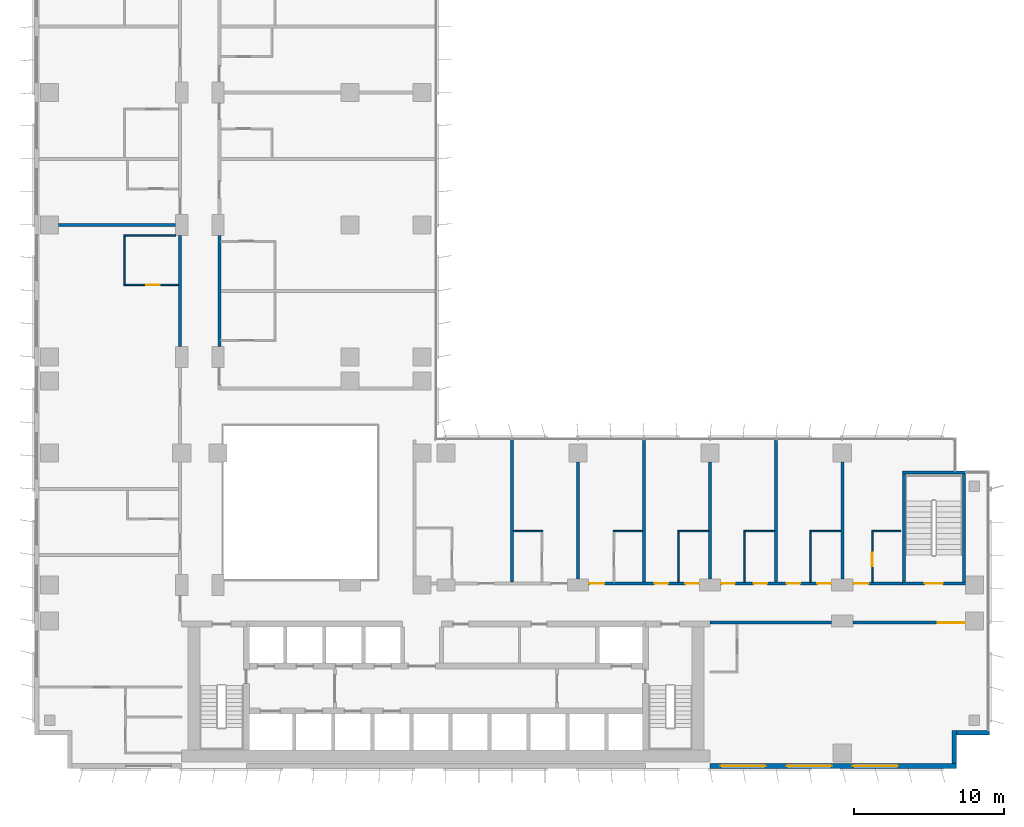
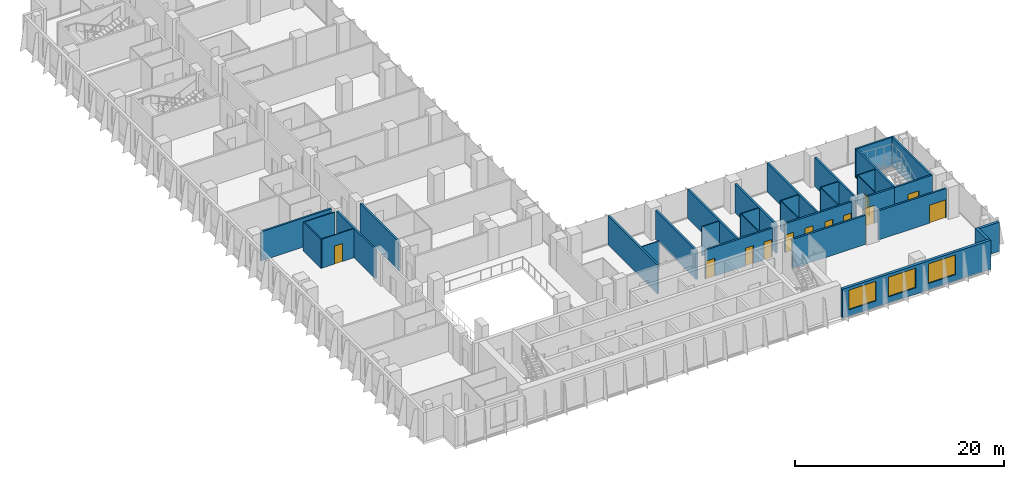
# One storey, part 14 of 22: 34 walls, 12 doors, 3 windows, 15 openings.
"""IFC4 building model written with IfcOpenShell, lengths in metres."""

import ifcopenshell
import ifcopenshell.guid

model = None  # the IFC model being written
_history = None  # IfcOwnerHistory: only IFC2X3 demands one
_inside = {}  # id of a spatial element -> (the spatial element, [elements in it])
_under = {}  # id of a project, library or spatial element -> (it, [spatial elements below it])
_declared = {}  # id of a project -> (the project, [libraries it declares])
_typed = {}  # id of a type object -> (the type object, [elements of that type])
_made_of = {}  # id of a material, layer set ... -> (it, [elements and type objects made of it])


def new_model(schema):
    """Start an empty IFC model of exactly this schema.

    Asked for "IFC4X3", IfcOpenShell would pick the latest addendum, in which some entities
    have other attributes; the version numbers below select the first issue.
    IFC2X3 requires an IfcOwnerHistory on every rooted entity: one is made here for all.
    """
    global model, _history
    if schema == "IFC4X3":
        model = ifcopenshell.file(schema_version=(4, 3, 0, 0))
    else:
        model = ifcopenshell.file(schema=schema)
    _inside.clear()
    _under.clear()
    _declared.clear()
    _typed.clear()
    _made_of.clear()
    _history = None
    if model.schema == "IFC2X3":
        org = make("IfcOrganization", Name="unknown")
        user = make(
            "IfcPersonAndOrganization",
            ThePerson=make("IfcPerson", FamilyName="unknown"),
            TheOrganization=org,
        )
        app = make(
            "IfcApplication",
            ApplicationDeveloper=org,
            Version="unknown",
            ApplicationFullName="unknown",
            ApplicationIdentifier="unknown",
        )
        _history = make(
            "IfcOwnerHistory",
            OwningUser=user,
            OwningApplication=app,
            ChangeAction="ADDED",
            CreationDate=0,
        )
    return model


def make(cls, **values):
    """One entity of the class cls with the attributes given. An attribute that is None is left unset."""
    return model.create_entity(
        cls, **{name: value for name, value in values.items() if value is not None}
    )


def rooted(cls, **values):
    """An entity with a GlobalId (a new one), such as an element, a storey or a relation."""
    return make(cls, GlobalId=ifcopenshell.guid.new(), OwnerHistory=_history, **values)


def si_unit(unit_type, name, prefix=None):
    """IfcSIUnit, for example si_unit("LENGTHUNIT", "METRE", prefix="MILLI")."""
    return make("IfcSIUnit", UnitType=unit_type, Prefix=prefix, Name=name)


def assignment(units):
    """IfcUnitAssignment: the units of a project."""
    return None if units is None else make("IfcUnitAssignment", Units=units)


def point(xyz):
    """IfcCartesianPoint."""
    return None if xyz is None else make("IfcCartesianPoint", Coordinates=xyz)


def direction(xyz):
    """IfcDirection."""
    return None if xyz is None else make("IfcDirection", DirectionRatios=xyz)


def frame(location, z_axis=None, x_axis=None):
    """IfcAxis2Placement3D, a coordinate frame: its origin and axes. An axis left out is left unset."""
    return make(
        "IfcAxis2Placement3D",
        Location=point(location),
        Axis=direction(z_axis),
        RefDirection=direction(x_axis),
    )


def frame_2d(location, x_axis=None):
    """IfcAxis2Placement2D, a coordinate frame in the plane: its origin and x axis."""
    return make(
        "IfcAxis2Placement2D", Location=point(location), RefDirection=direction(x_axis)
    )


def origin():
    """The frame at (0, 0, 0) with its axes left unset."""
    return frame((0.0, 0.0, 0.0))


def place(relative_to, where):
    """IfcLocalPlacement: puts the frame where relative to a parent placement (None: the world)."""
    return make(
        "IfcLocalPlacement", PlacementRelTo=relative_to, RelativePlacement=where
    )


def context(
    kind, dimensions, precision=None, world=None, true_north=None, identifier=None
):
    """IfcGeometricRepresentationContext, for example the 3D "Model" context."""
    return make(
        "IfcGeometricRepresentationContext",
        ContextIdentifier=identifier,
        ContextType=kind,
        CoordinateSpaceDimension=dimensions,
        Precision=precision,
        WorldCoordinateSystem=world,
        TrueNorth=true_north,
    )


def subcontext(parent, identifier, kind, view, scale=None):
    """IfcGeometricRepresentationSubContext, for example "Body" below "Model"."""
    return make(
        "IfcGeometricRepresentationSubContext",
        ContextIdentifier=identifier,
        ContextType=kind,
        ParentContext=parent,
        TargetScale=scale,
        TargetView=view,
    )


def project(units=None, contexts=None):
    """IfcProject with its units and contexts."""
    return rooted(
        "IfcProject",
        Name="project",
        RepresentationContexts=contexts,
        UnitsInContext=assignment(units),
    )


def spatial(cls, under=None, at=None, **own):
    """A site, building, storey or space (cls), placed at a placement, below another one or the project."""
    s = rooted(cls, ObjectPlacement=at, **own)
    if under is not None:
        _under.setdefault(under.id(), (under, []))[1].append(s)
    return s


def profile(cls, at=None, kind="AREA", **sizes):
    """A parametric profile (cls). Its sizes go by their IFC names, for example OverallWidth=200.0."""
    return make(cls, ProfileType=kind, Position=at, **sizes)


def rectangle(**sizes):
    """IfcRectangleProfileDef."""
    return profile("IfcRectangleProfileDef", **sizes)


def extrude(swept, where, along, depth):
    """IfcExtrudedAreaSolid: the profile swept, set in the frame where, extruded along a direction by depth."""
    return make(
        "IfcExtrudedAreaSolid",
        SweptArea=swept,
        Position=where,
        ExtrudedDirection=direction(along),
        Depth=depth,
    )


def shape(context_of_items, identifier, shape_type, items):
    """IfcShapeRepresentation: the items that make up one representation, for example the "Body"."""
    return make(
        "IfcShapeRepresentation",
        ContextOfItems=context_of_items,
        RepresentationIdentifier=identifier,
        RepresentationType=shape_type,
        Items=items,
    )


def material(Name=None, Category=None):
    """IfcMaterial."""
    return make("IfcMaterial", Name=Name, Category=Category)


def layer(
    of_material, thickness, ventilated=None, Name=None, Category=None, Priority=None
):
    """IfcMaterialLayer: one layer of a wall or slab, of a material (None: an air gap)."""
    return make(
        "IfcMaterialLayer",
        Material=of_material,
        LayerThickness=thickness,
        IsVentilated=ventilated,
        Name=Name,
        Category=Category,
        Priority=Priority,
    )


def layer_set(layers, Name=None):
    """IfcMaterialLayerSet."""
    return make("IfcMaterialLayerSet", MaterialLayers=layers, LayerSetName=Name)


def made_of(thing, what):
    """Note that an element or type object is made of a material, layer set ...; save() writes the relation."""
    if what is not None:
        _made_of.setdefault(what.id(), (what, []))[1].append(thing)
    return thing


def type_object(cls, material=None, **own):
    """A type object (cls), such as IfcWallType, which elements share."""
    return made_of(rooted(cls, **own), material)


def element(
    cls,
    number,
    at=None,
    inside=None,
    cuts=None,
    type_object=None,
    material=None,
    context=None,
    identifier="Body",
    shape_type=None,
    held_by="IfcProductDefinitionShape",
    body=None,
    shapes=None,
    **own,
):
    """One element of the class cls, such as IfcWall. Its Tag is "e" and its number.

    at: its placement. inside: the storey or other place that contains it. cuts: it is an
    opening in that element (IfcRelVoidsElement). A single representation is given by context,
    identifier, shape_type and body (its items); several are given by shapes. held_by: the class
    of the entity that holds the representations. save() writes the other relations.
    """
    e = rooted(cls, Tag="e%d" % number, ObjectPlacement=at, **own)
    if body is not None:
        shapes = [shape(context, identifier, shape_type, body)]
    if shapes is not None:
        e.Representation = make(held_by, Representations=shapes)
    if inside is not None:
        _inside.setdefault(inside.id(), (inside, []))[1].append(e)
    if cuts is not None:
        rooted(
            "IfcRelVoidsElement", RelatingBuildingElement=cuts, RelatedOpeningElement=e
        )
    if type_object is not None:
        _typed.setdefault(type_object.id(), (type_object, []))[1].append(e)
    return made_of(e, material)


def fill(opening, filler):
    """IfcRelFillsElement: the door or window that sits in an opening."""
    return rooted(
        "IfcRelFillsElement",
        RelatingOpeningElement=opening,
        RelatedBuildingElement=filler,
    )


def aggregate(whole, parts):
    """IfcRelAggregates: a whole, such as a stair, and the parts it consists of."""
    return rooted("IfcRelAggregates", RelatingObject=whole, RelatedObjects=parts)


def save(model, path):
    """Write the relations noted so far, then the file.

    IfcRelAggregates (storeys below a building ...), IfcRelContainedInSpatialStructure (elements
    in a storey), IfcRelDefinesByType, IfcRelAssociatesMaterial and IfcRelDeclares: one each for
    every whole, place, type object, material and project.
    """
    for whole, parts in _under.values():
        aggregate(whole, parts)
    for where, things in _inside.values():
        rooted(
            "IfcRelContainedInSpatialStructure",
            RelatedElements=things,
            RelatingStructure=where,
        )
    for kind, things in _typed.values():
        rooted("IfcRelDefinesByType", RelatedObjects=things, RelatingType=kind)
    for what, things in _made_of.values():
        rooted("IfcRelAssociatesMaterial", RelatedObjects=things, RelatingMaterial=what)
    for by, libraries in _declared.values():
        rooted("IfcRelDeclares", RelatingContext=by, RelatedDefinitions=libraries)
    model.write(path)


model = new_model("IFC4")

# Units and contexts
model_context = context("Model", 3, precision=1e-05, world=origin(), true_north=direction((0.0, 1.0)))
body_context = subcontext(model_context, "Body", "Model", "MODEL_VIEW")
ifc_project = project(units=[si_unit("LENGTHUNIT", "METRE"), si_unit("AREAUNIT", "SQUARE_METRE"), si_unit("VOLUMEUNIT", "CUBIC_METRE"), si_unit("PLANEANGLEUNIT", "RADIAN"), si_unit("MASSUNIT", "GRAM", prefix="KILO")], contexts=[model_context])

# Site, building, storey
site_placement = place(None, origin())
site = spatial("IfcSite", under=ifc_project, at=site_placement, CompositionType="ELEMENT")
building_placement = place(site_placement, origin())
building = spatial("IfcBuilding", under=site, at=building_placement, Name="Kemantara Hotel Tower", CompositionType="ELEMENT")
storey_placement = place(building_placement, frame((0.0, 0.0, 107.39990234375)))
storey = spatial("IfcBuildingStorey", under=building, at=storey_placement, Name="L25", CompositionType="ELEMENT", Elevation=107.39990234375)

# Wall, openings, windows
ifc_material_1 = material(Name="Bronze anodised aluminium cladding on insulated steel stud wall", Category="steel")
ifc_layer_1 = layer(ifc_material_1, 0.300048828125)
ifc_layer_set_1 = layer_set([ifc_layer_1], Name="Bronze anodised aluminium cladding on insulated steel stud wall")
wall_type_1 = type_object("IfcWallType", Name="BRONZE METAL-CLAD EXTERNAL WALL 300", PredefinedType="STANDARD", material=ifc_layer_set_1)
wall_1_placement = place(storey_placement, frame((45.0, 0.14990234375, 0.0), z_axis=(0.0, 0.0, 1.0), x_axis=(1.0, 0.0, 0.0)))
wall_1 = element("IfcWall", 1, at=wall_1_placement, inside=storey, type_object=wall_type_1, Name="EXTERNAL WALL L25 T2-R07-3", PredefinedType="STANDARD", context=body_context, shape_type="SweptSolid", body=[
    extrude(rectangle(XDim=16.39990234375, YDim=0.300048828125, at=frame_2d((8.199951171875, 0.0))), origin(), (0.0, 0.0, 1.0), 3.400146484375),
])
opening_1_placement = place(wall_1_placement, frame((0.699951171875, 0.0, 0.75)))
opening_1 = element("IfcOpeningElement", 2, at=opening_1_placement, cuts=wall_1, Name="Opening W1", PredefinedType="OPENING", context=body_context, shape_type="SweptSolid", body=[
    extrude(rectangle(XDim=3.0, YDim=2.300048828125, at=frame_2d((1.5, 1.14990234375))), frame((0.0, 0.159912109375, 0.0), z_axis=(0.0, -1.0, 0.0), x_axis=(1.0, 0.0, 0.0)), (0.0, 0.0, 1.0), 0.320068359375),
])
opening_2_placement = place(wall_1_placement, frame((5.10009765625, 0.0, 0.75)))
opening_2 = element("IfcOpeningElement", 3, at=opening_2_placement, cuts=wall_1, Name="Opening W1", PredefinedType="OPENING", context=body_context, shape_type="SweptSolid", body=[
    extrude(rectangle(XDim=3.0, YDim=2.300048828125, at=frame_2d((1.5, 1.14990234375))), frame((0.0, 0.159912109375, 0.0), z_axis=(0.0, -1.0, 0.0), x_axis=(1.0, 0.0, 0.0)), (0.0, 0.0, 1.0), 0.320068359375),
])
opening_3_placement = place(wall_1_placement, frame((9.5, 0.0, 0.75)))
opening_3 = element("IfcOpeningElement", 4, at=opening_3_placement, cuts=wall_1, Name="Opening W1", PredefinedType="OPENING", context=body_context, shape_type="SweptSolid", body=[
    extrude(rectangle(XDim=3.0, YDim=2.300048828125, at=frame_2d((1.5, 1.14990234375))), frame((0.0, 0.159912109375, 0.0), z_axis=(0.0, -1.0, 0.0), x_axis=(1.0, 0.0, 0.0)), (0.0, 0.0, 1.0), 0.320068359375),
])
ifc_material_2 = material(Name="Low-E tinted double insulated glass in bronze anodised aluminium frame", Category="aluminium")
window_type = type_object("IfcWindowType", Name="CHICAGO WINDOW, TRIPLE PANEL 3000x2300", PartitioningType="TRIPLE_PANEL_VERTICAL", PredefinedType="WINDOW", material=ifc_material_2)
window_1_placement = place(opening_1_placement, origin())
window_1 = element("IfcWindow", 5, at=window_1_placement, inside=storey, type_object=window_type, Name="CHICAGO WINDOW L25 T2-R07-450", OverallHeight=2.300048828125, OverallWidth=3.0, PartitioningType="SINGLE_PANEL", PredefinedType="WINDOW", context=body_context, shape_type="SweptSolid", body=[
    extrude(rectangle(XDim=3.0, YDim=2.300048828125, at=frame_2d((1.5, 1.14990234375))), frame((0.0, 0.030029296875, 0.0), z_axis=(0.0, -1.0, 0.0), x_axis=(1.0, 0.0, 0.0)), (0.0, 0.0, 1.0), 0.06005859375),
])
fill(opening_1, window_1)
window_2_placement = place(opening_2_placement, origin())
window_2 = element("IfcWindow", 6, at=window_2_placement, inside=storey, type_object=window_type, Name="CHICAGO WINDOW L25 T2-R07-494", OverallHeight=2.300048828125, OverallWidth=3.0, PartitioningType="SINGLE_PANEL", PredefinedType="WINDOW", context=body_context, shape_type="SweptSolid", body=[
    extrude(rectangle(XDim=3.0, YDim=2.300048828125, at=frame_2d((1.5, 1.14990234375))), frame((0.0, 0.030029296875, 0.0), z_axis=(0.0, -1.0, 0.0), x_axis=(1.0, 0.0, 0.0)), (0.0, 0.0, 1.0), 0.06005859375),
])
fill(opening_2, window_2)
window_3_placement = place(opening_3_placement, origin())
window_3 = element("IfcWindow", 7, at=window_3_placement, inside=storey, type_object=window_type, Name="CHICAGO WINDOW L25 T2-R07-538", OverallHeight=2.300048828125, OverallWidth=3.0, PartitioningType="SINGLE_PANEL", PredefinedType="WINDOW", context=body_context, shape_type="SweptSolid", body=[
    extrude(rectangle(XDim=3.0, YDim=2.300048828125, at=frame_2d((1.5, 1.14990234375))), frame((0.0, 0.030029296875, 0.0), z_axis=(0.0, -1.0, 0.0), x_axis=(1.0, 0.0, 0.0)), (0.0, 0.0, 1.0), 0.06005859375),
])
fill(opening_3, window_3)

# Walls
wall_2_placement = place(storey_placement, frame((61.25, 0.300048828125, 0.0), z_axis=(0.0, 0.0, 1.0), x_axis=(0.0, 1.0, 0.0)))
element("IfcWall", 8, at=wall_2_placement, inside=storey, type_object=wall_type_1, Name="EXTERNAL WALL L25 T2-R08", PredefinedType="STANDARD", context=body_context, shape_type="SweptSolid", body=[
    extrude(rectangle(XDim=2.199951171875, YDim=0.300048828125, at=frame_2d((1.10009765625, 0.0))), origin(), (0.0, 0.0, 1.0), 3.400146484375),
])
wall_3_placement = place(storey_placement, frame((61.39990234375, 2.35009765625, 0.0), z_axis=(0.0, 0.0, 1.0), x_axis=(1.0, 0.0, 0.0)))
element("IfcWall", 9, at=wall_3_placement, inside=storey, type_object=wall_type_1, Name="EXTERNAL WALL L25 T2-R09", PredefinedType="STANDARD", context=body_context, shape_type="SweptSolid", body=[
    extrude(rectangle(XDim=2.2001953125, YDim=0.300048828125, at=frame_2d((1.10009765625, 0.0))), origin(), (0.0, 0.0, 1.0), 3.400146484375),
])
ifc_material_3 = material(Name="Gypsum board partition, steel studs and mineral wool, 200 mm", Category="steel")
ifc_layer_2 = layer(ifc_material_3, 0.199951171875)
ifc_layer_set_2 = layer_set([ifc_layer_2], Name="Gypsum board partition, steel studs and mineral wool, 200 mm")
wall_type_2 = type_object("IfcWallType", Name="CORRIDOR WALL 200", PredefinedType="PARTITIONING", material=ifc_layer_set_2)
wall_4_placement = place(storey_placement, frame((45.0, 9.699951171875, 0.0), z_axis=(0.0, 0.0, 1.0), x_axis=(1.0, 0.0, 0.0)))
element("IfcWall", 10, at=wall_4_placement, inside=storey, type_object=wall_type_2, Name="CORRIDOR WALL 200 001", PredefinedType="PARTITIONING", context=body_context, shape_type="SweptSolid", body=[
    extrude(rectangle(XDim=8.099853515625, YDim=0.199951171875, at=frame_2d((4.0498046875, 0.0))), origin(), (0.0, 0.0, 1.0), 3.400146484375),
])

# Wall, opening, door
wall_5_placement = place(storey_placement, frame((62.0, 9.699951171875, 0.0), z_axis=(0.0, 0.0, 1.0), x_axis=(-1.0, 0.0, 0.0)))
wall_5 = element("IfcWall", 11, at=wall_5_placement, inside=storey, type_object=wall_type_2, Name="CORRIDOR WALL 200 002", PredefinedType="PARTITIONING", context=body_context, shape_type="SweptSolid", body=[
    extrude(rectangle(XDim=7.5, YDim=0.199951171875, at=frame_2d((3.75, 0.0))), origin(), (0.0, 0.0, 1.0), 3.400146484375),
])
opening_4_placement = place(wall_5_placement, frame((0.0498046875, 0.0, 0.0)))
opening_4 = element("IfcOpeningElement", 12, at=opening_4_placement, cuts=wall_5, Name="Opening F11-001", PredefinedType="OPENING", context=body_context, shape_type="SweptSolid", body=[
    extrude(rectangle(XDim=1.800048828125, YDim=2.10009765625, at=frame_2d((0.89990234375, 1.050048828125))), frame((0.0, 0.10986328125, 0.0), z_axis=(0.0, -1.0, 0.0), x_axis=(1.0, 0.0, 0.0)), (0.0, 0.0, 1.0), 0.219970703125),
])
ifc_material_4 = material(Name="Hardwood veneer door leaf with steel frame", Category="steel")
door_type_1 = type_object("IfcDoorType", Name="GUEST ROOM DOOR 1800 X 2100 FD30S", OperationType="NOTDEFINED", PredefinedType="DOOR", material=ifc_material_4)
door_1_placement = place(opening_4_placement, origin())
door_1 = element("IfcDoor", 13, at=door_1_placement, inside=storey, type_object=door_type_1, Name="GUEST ROOM DOOR F11-001", OperationType="DOUBLE_DOOR_SINGLE_SWING", OverallHeight=2.10009765625, OverallWidth=1.800048828125, PredefinedType="DOOR", context=body_context, shape_type="SweptSolid", body=[
    extrude(rectangle(XDim=1.800048828125, YDim=2.10009765625, at=frame_2d((0.89990234375, 1.050048828125))), frame((0.0, 0.02490234375, 0.0), z_axis=(0.0, -1.0, 0.0), x_axis=(1.0, 0.0, 0.0)), (0.0, 0.0, 1.0), 0.050048828125),
])
fill(opening_4, door_1)

# Wall, openings, doors
wall_6_placement = place(storey_placement, frame((36.900146484375, 12.300048828125, 0.0), z_axis=(0.0, 0.0, 1.0), x_axis=(1.0, 0.0, 0.0)))
wall_6 = element("IfcWall", 14, at=wall_6_placement, inside=storey, type_object=wall_type_2, Name="CORRIDOR WALL 200 005", PredefinedType="PARTITIONING", context=body_context, shape_type="SweptSolid", body=[
    extrude(rectangle(XDim=7.399658203125, YDim=0.199951171875, at=frame_2d((3.69970703125, 0.0))), origin(), (0.0, 0.0, 1.0), 3.400146484375),
])
opening_5_placement = place(wall_6_placement, frame((0.0498046875, 0.0, 0.0)))
opening_5 = element("IfcOpeningElement", 15, at=opening_5_placement, cuts=wall_6, Name="Opening F11-007", PredefinedType="OPENING", context=body_context, shape_type="SweptSolid", body=[
    extrude(rectangle(XDim=1.0, YDim=2.10009765625, at=frame_2d((0.5, 1.050048828125))), frame((0.0, 0.10986328125, 0.0), z_axis=(0.0, -1.0, 0.0), x_axis=(1.0, 0.0, 0.0)), (0.0, 0.0, 1.0), 0.219970703125),
])
opening_6_placement = place(wall_6_placement, frame((4.39990234375, 0.0, 0.0)))
opening_6 = element("IfcOpeningElement", 16, at=opening_6_placement, cuts=wall_6, Name="Opening F11-009", PredefinedType="OPENING", context=body_context, shape_type="SweptSolid", body=[
    extrude(rectangle(XDim=0.89990234375, YDim=2.10009765625, at=frame_2d((0.449951171875, 1.050048828125))), frame((0.0, 0.10986328125, 0.0), z_axis=(0.0, -1.0, 0.0), x_axis=(1.0, 0.0, 0.0)), (0.0, 0.0, 1.0), 0.219970703125),
])
opening_7_placement = place(wall_6_placement, frame((6.449951171875, 0.0, 0.0)))
opening_7 = element("IfcOpeningElement", 17, at=opening_7_placement, cuts=wall_6, Name="Opening F11-010", PredefinedType="OPENING", context=body_context, shape_type="SweptSolid", body=[
    extrude(rectangle(XDim=0.89990234375, YDim=2.10009765625, at=frame_2d((0.449951171875, 1.050048828125))), frame((0.0, 0.10986328125, 0.0), z_axis=(0.0, -1.0, 0.0), x_axis=(1.0, 0.0, 0.0)), (0.0, 0.0, 1.0), 0.219970703125),
])
door_type_2 = type_object("IfcDoorType", Name="GUEST ROOM DOOR 1000 X 2100 FD30S", OperationType="NOTDEFINED", PredefinedType="DOOR", material=ifc_material_4)
door_2_placement = place(opening_5_placement, origin())
door_2 = element("IfcDoor", 18, at=door_2_placement, inside=storey, type_object=door_type_2, Name="GUEST ROOM DOOR F11-007", OperationType="SINGLE_SWING_LEFT", OverallHeight=2.10009765625, OverallWidth=1.0, PredefinedType="DOOR", context=body_context, shape_type="SweptSolid", body=[
    extrude(rectangle(XDim=1.0, YDim=2.10009765625, at=frame_2d((0.5, 1.050048828125))), frame((0.0, 0.02490234375, 0.0), z_axis=(0.0, -1.0, 0.0), x_axis=(1.0, 0.0, 0.0)), (0.0, 0.0, 1.0), 0.050048828125),
])
fill(opening_5, door_2)
ifc_material_5 = material(Name="Steel door leaf with steel frame", Category="steel")
door_type_3 = type_object("IfcDoorType", Name="SERVICE ROOM DOOR 900 X 2100 FD60", OperationType="NOTDEFINED", PredefinedType="DOOR", material=ifc_material_5)
door_3_placement = place(opening_6_placement, origin())
door_3 = element("IfcDoor", 19, at=door_3_placement, inside=storey, type_object=door_type_3, Name="SERVICE ROOM DOOR F11-009", OperationType="SINGLE_SWING_LEFT", OverallHeight=2.10009765625, OverallWidth=0.89990234375, PredefinedType="DOOR", context=body_context, shape_type="SweptSolid", body=[
    extrude(rectangle(XDim=0.89990234375, YDim=2.10009765625, at=frame_2d((0.449951171875, 1.050048828125))), frame((0.0, 0.02490234375, 0.0), z_axis=(0.0, -1.0, 0.0), x_axis=(1.0, 0.0, 0.0)), (0.0, 0.0, 1.0), 0.050048828125),
])
fill(opening_6, door_3)
door_4_placement = place(opening_7_placement, origin())
door_4 = element("IfcDoor", 20, at=door_4_placement, inside=storey, type_object=door_type_3, Name="SERVICE ROOM DOOR F11-010", OperationType="SINGLE_SWING_RIGHT", OverallHeight=2.10009765625, OverallWidth=0.89990234375, PredefinedType="DOOR", context=body_context, shape_type="SweptSolid", body=[
    extrude(rectangle(XDim=0.89990234375, YDim=2.10009765625, at=frame_2d((0.449951171875, 1.050048828125))), frame((0.0, 0.02490234375, 0.0), z_axis=(0.0, -1.0, 0.0), x_axis=(1.0, 0.0, 0.0)), (0.0, 0.0, 1.0), 0.050048828125),
])
fill(opening_7, door_4)

wall_7_placement = place(storey_placement, frame((45.7001953125, 12.300048828125, 0.0), z_axis=(0.0, 0.0, 1.0), x_axis=(1.0, 0.0, 0.0)))
wall_7 = element("IfcWall", 21, at=wall_7_placement, inside=storey, type_object=wall_type_2, Name="CORRIDOR WALL 200 006", PredefinedType="PARTITIONING", context=body_context, shape_type="SweptSolid", body=[
    extrude(rectangle(XDim=7.399658203125, YDim=0.199951171875, at=frame_2d((3.69970703125, 0.0))), origin(), (0.0, 0.0, 1.0), 3.400146484375),
])
opening_8_placement = place(wall_7_placement, frame((0.0498046875, 0.0, 0.0)))
opening_8 = element("IfcOpeningElement", 22, at=opening_8_placement, cuts=wall_7, Name="Opening F11-011", PredefinedType="OPENING", context=body_context, shape_type="SweptSolid", body=[
    extrude(rectangle(XDim=0.89990234375, YDim=2.10009765625, at=frame_2d((0.449951171875, 1.050048828125))), frame((0.0, 0.10986328125, 0.0), z_axis=(0.0, -1.0, 0.0), x_axis=(1.0, 0.0, 0.0)), (0.0, 0.0, 1.0), 0.219970703125),
])
opening_9_placement = place(wall_7_placement, frame((2.199951171875, 0.0, 0.0)))
opening_9 = element("IfcOpeningElement", 23, at=opening_9_placement, cuts=wall_7, Name="Opening F11-012", PredefinedType="OPENING", context=body_context, shape_type="SweptSolid", body=[
    extrude(rectangle(XDim=0.89990234375, YDim=2.10009765625, at=frame_2d((0.449951171875, 1.050048828125))), frame((0.0, 0.10986328125, 0.0), z_axis=(0.0, -1.0, 0.0), x_axis=(1.0, 0.0, 0.0)), (0.0, 0.0, 1.0), 0.219970703125),
])
opening_10_placement = place(wall_7_placement, frame((4.39990234375, 0.0, 0.0)))
opening_10 = element("IfcOpeningElement", 24, at=opening_10_placement, cuts=wall_7, Name="Opening F11-013", PredefinedType="OPENING", context=body_context, shape_type="SweptSolid", body=[
    extrude(rectangle(XDim=0.89990234375, YDim=2.10009765625, at=frame_2d((0.449951171875, 1.050048828125))), frame((0.0, 0.10986328125, 0.0), z_axis=(0.0, -1.0, 0.0), x_axis=(1.0, 0.0, 0.0)), (0.0, 0.0, 1.0), 0.219970703125),
])
opening_11_placement = place(wall_7_placement, frame((6.449951171875, 0.0, 0.0)))
opening_11 = element("IfcOpeningElement", 25, at=opening_11_placement, cuts=wall_7, Name="Opening F11-014", PredefinedType="OPENING", context=body_context, shape_type="SweptSolid", body=[
    extrude(rectangle(XDim=0.89990234375, YDim=2.10009765625, at=frame_2d((0.449951171875, 1.050048828125))), frame((0.0, 0.10986328125, 0.0), z_axis=(0.0, -1.0, 0.0), x_axis=(1.0, 0.0, 0.0)), (0.0, 0.0, 1.0), 0.219970703125),
])
door_5_placement = place(opening_8_placement, origin())
door_5 = element("IfcDoor", 26, at=door_5_placement, inside=storey, type_object=door_type_3, Name="SERVICE ROOM DOOR F11-011", OperationType="SINGLE_SWING_LEFT", OverallHeight=2.10009765625, OverallWidth=0.89990234375, PredefinedType="DOOR", context=body_context, shape_type="SweptSolid", body=[
    extrude(rectangle(XDim=0.89990234375, YDim=2.10009765625, at=frame_2d((0.449951171875, 1.050048828125))), frame((0.0, 0.02490234375, 0.0), z_axis=(0.0, -1.0, 0.0), x_axis=(1.0, 0.0, 0.0)), (0.0, 0.0, 1.0), 0.050048828125),
])
fill(opening_8, door_5)
door_6_placement = place(opening_9_placement, origin())
door_6 = element("IfcDoor", 27, at=door_6_placement, inside=storey, type_object=door_type_3, Name="SERVICE ROOM DOOR F11-012", OperationType="SINGLE_SWING_RIGHT", OverallHeight=2.10009765625, OverallWidth=0.89990234375, PredefinedType="DOOR", context=body_context, shape_type="SweptSolid", body=[
    extrude(rectangle(XDim=0.89990234375, YDim=2.10009765625, at=frame_2d((0.449951171875, 1.050048828125))), frame((0.0, 0.02490234375, 0.0), z_axis=(0.0, -1.0, 0.0), x_axis=(1.0, 0.0, 0.0)), (0.0, 0.0, 1.0), 0.050048828125),
])
fill(opening_9, door_6)
door_7_placement = place(opening_10_placement, origin())
door_7 = element("IfcDoor", 28, at=door_7_placement, inside=storey, type_object=door_type_3, Name="SERVICE ROOM DOOR F11-013", OperationType="SINGLE_SWING_LEFT", OverallHeight=2.10009765625, OverallWidth=0.89990234375, PredefinedType="DOOR", context=body_context, shape_type="SweptSolid", body=[
    extrude(rectangle(XDim=0.89990234375, YDim=2.10009765625, at=frame_2d((0.449951171875, 1.050048828125))), frame((0.0, 0.02490234375, 0.0), z_axis=(0.0, -1.0, 0.0), x_axis=(1.0, 0.0, 0.0)), (0.0, 0.0, 1.0), 0.050048828125),
])
fill(opening_10, door_7)
door_8_placement = place(opening_11_placement, origin())
door_8 = element("IfcDoor", 29, at=door_8_placement, inside=storey, type_object=door_type_3, Name="SERVICE ROOM DOOR F11-014", OperationType="SINGLE_SWING_RIGHT", OverallHeight=2.10009765625, OverallWidth=0.89990234375, PredefinedType="DOOR", context=body_context, shape_type="SweptSolid", body=[
    extrude(rectangle(XDim=0.89990234375, YDim=2.10009765625, at=frame_2d((0.449951171875, 1.050048828125))), frame((0.0, 0.02490234375, 0.0), z_axis=(0.0, -1.0, 0.0), x_axis=(1.0, 0.0, 0.0)), (0.0, 0.0, 1.0), 0.050048828125),
])
fill(opening_11, door_8)

# Wall, opening, door
wall_8_placement = place(storey_placement, frame((54.5, 12.300048828125, 0.0), z_axis=(0.0, 0.0, 1.0), x_axis=(1.0, 0.0, 0.0)))
wall_8 = element("IfcWall", 30, at=wall_8_placement, inside=storey, type_object=wall_type_2, Name="CORRIDOR WALL 200 007", PredefinedType="PARTITIONING", context=body_context, shape_type="SweptSolid", body=[
    extrude(rectangle(XDim=3.300048828125, YDim=0.199951171875, at=frame_2d((1.64990234375, 0.0))), origin(), (0.0, 0.0, 1.0), 3.400146484375),
])
opening_12_placement = place(wall_8_placement, frame((0.0498046875, 0.0, 0.0)))
opening_12 = element("IfcOpeningElement", 31, at=opening_12_placement, cuts=wall_8, Name="Opening F11-015", PredefinedType="OPENING", context=body_context, shape_type="SweptSolid", body=[
    extrude(rectangle(XDim=1.0, YDim=2.10009765625, at=frame_2d((0.5, 1.050048828125))), frame((0.0, 0.10986328125, 0.0), z_axis=(0.0, -1.0, 0.0), x_axis=(1.0, 0.0, 0.0)), (0.0, 0.0, 1.0), 0.219970703125),
])
door_9_placement = place(opening_12_placement, origin())
door_9 = element("IfcDoor", 32, at=door_9_placement, inside=storey, type_object=door_type_2, Name="GUEST ROOM DOOR F11-015", OperationType="SINGLE_SWING_LEFT", OverallHeight=2.10009765625, OverallWidth=1.0, PredefinedType="DOOR", context=body_context, shape_type="SweptSolid", body=[
    extrude(rectangle(XDim=1.0, YDim=2.10009765625, at=frame_2d((0.5, 1.050048828125))), frame((0.0, 0.02490234375, 0.0), z_axis=(0.0, -1.0, 0.0), x_axis=(1.0, 0.0, 0.0)), (0.0, 0.0, 1.0), 0.050048828125),
])
fill(opening_12, door_9)

# Walls
for number, where, z_axis, x_axis, name in (
    (33, (9.699951171875, 28.10009765625, 0.0), (0.0, 0.0, 1.0), (0.0, 1.0, 0.0), "CORRIDOR WALL 200 019"),
    (34, (12.300048828125, 28.10009765625, 0.0), (0.0, 0.0, 1.0), (0.0, 1.0, 0.0), "CORRIDOR WALL 200 034"),
):
    element("IfcWall", number, at=place(storey_placement, frame(where, z_axis=z_axis, x_axis=x_axis)), inside=storey, type_object=wall_type_2, Name=name, PredefinedType="PARTITIONING", context=body_context, shape_type="SweptSolid", body=[
        extrude(rectangle(XDim=7.39990234375, YDim=0.199951171875, at=frame_2d((3.699951171875, 0.0))), origin(), (0.0, 0.0, 1.0), 3.400146484375),
    ])

# Wall, opening, door
ifc_material_6 = material(Name="Concrete fc 40 MPa", Category="concrete")
ifc_layer_3 = layer(ifc_material_6, 0.199951171875)
ifc_layer_set_3 = layer_set([ifc_layer_3], Name="Concrete fc 40 MPa")
wall_type_3 = type_object("IfcWallType", Name="Concrete stair wall 200 mm", PredefinedType="SHEAR", material=ifc_layer_set_3)
wall_9_placement = place(storey_placement, frame((57.800048828125, 12.300048828125, 0.0), z_axis=(0.0, 0.0, 1.0), x_axis=(1.0, 0.0, 0.0)))
wall_9 = element("IfcWall", 35, at=wall_9_placement, inside=storey, type_object=wall_type_3, Name="Stair ST3 enclosure wall with door", PredefinedType="SHEAR", context=body_context, shape_type="SweptSolid", body=[
    extrude(rectangle(XDim=4.199951171875, YDim=0.199951171875, at=frame_2d((2.10009765625, 0.0))), origin(), (0.0, 0.0, 1.0), 3.400146484375),
])
opening_13_placement = place(wall_9_placement, frame((1.5, 0.0, 0.0)))
opening_13 = element("IfcOpeningElement", 36, at=opening_13_placement, cuts=wall_9, Name="Opening ST3-C", PredefinedType="OPENING", context=body_context, shape_type="SweptSolid", body=[
    extrude(rectangle(XDim=1.199951171875, YDim=2.10009765625, at=frame_2d((0.60009765625, 1.050048828125))), frame((0.0, 0.10986328125, 0.0), z_axis=(0.0, -1.0, 0.0), x_axis=(1.0, 0.0, 0.0)), (0.0, 0.0, 1.0), 0.219970703125),
])
ifc_material_7 = material(Name="Steel fire door", Category="steel")
door_type_4 = type_object("IfcDoorType", Name="Fire door FD90 1200 x 2100", OperationType="NOTDEFINED", PredefinedType="DOOR", material=ifc_material_7)
door_10_placement = place(opening_13_placement, origin())
door_10 = element("IfcDoor", 37, at=door_10_placement, inside=storey, type_object=door_type_4, Name="Stair ST3 door", OperationType="SINGLE_SWING_RIGHT", OverallHeight=2.10009765625, OverallWidth=1.199951171875, PredefinedType="DOOR", context=body_context, shape_type="SweptSolid", body=[
    extrude(rectangle(XDim=1.199951171875, YDim=2.10009765625, at=frame_2d((0.60009765625, 1.050048828125))), frame((0.0, 0.02490234375, 0.0), z_axis=(0.0, -1.0, 0.0), x_axis=(1.0, 0.0, 0.0)), (0.0, 0.0, 1.0), 0.050048828125),
])
fill(opening_13, door_10)

# Walls
wall_10_placement = place(storey_placement, frame((57.800048828125, 19.699951171875, 0.0), z_axis=(0.0, 0.0, 1.0), x_axis=(1.0, 0.0, 0.0)))
element("IfcWall", 38, at=wall_10_placement, inside=storey, type_object=wall_type_3, Name="Stair ST3 enclosure wall N", PredefinedType="SHEAR", context=body_context, shape_type="SweptSolid", body=[
    extrude(rectangle(XDim=4.199951171875, YDim=0.199951171875, at=frame_2d((2.10009765625, 0.0))), origin(), (0.0, 0.0, 1.0), 3.400146484375),
])
for number, where, z_axis, x_axis, name in (
    (39, (57.89990234375, 12.39990234375, 0.0), (0.0, 0.0, 1.0), (0.0, 1.0, 0.0), "Stair ST3 enclosure wall W"),
    (40, (61.89990234375, 12.39990234375, 0.0), (0.0, 0.0, 1.0), (0.0, 1.0, 0.0), "Stair ST3 enclosure wall E"),
):
    element("IfcWall", number, at=place(storey_placement, frame(where, z_axis=z_axis, x_axis=x_axis)), inside=storey, type_object=wall_type_3, Name=name, PredefinedType="SHEAR", context=body_context, shape_type="SweptSolid", body=[
        extrude(rectangle(XDim=7.2001953125, YDim=0.199951171875, at=frame_2d((3.60009765625, 0.0))), origin(), (0.0, 0.0, 1.0), 3.400146484375),
    ])
ifc_layer_4 = layer(ifc_material_3, 0.199951171875)
ifc_layer_set_4 = layer_set([ifc_layer_4], Name="Gypsum board partition, steel studs and mineral wool, 200 mm")
wall_type_4 = type_object("IfcWallType", Name="GUEST ROOM PARTY WALL 200", PredefinedType="PARTITIONING", material=ifc_layer_set_4)
wall_11_placement = place(storey_placement, frame((31.800048828125, 12.39990234375, 0.0), z_axis=(0.0, 0.0, 1.0), x_axis=(0.0, 1.0, 0.0)))
element("IfcWall", 41, at=wall_11_placement, inside=storey, type_object=wall_type_4, Name="GUEST ROOM PARTY WALL 200 010", PredefinedType="PARTITIONING", context=body_context, shape_type="SweptSolid", body=[
    extrude(rectangle(XDim=9.47021484375, YDim=0.199951171875, at=frame_2d((4.735107421875, 0.0))), origin(), (0.0, 0.0, 1.0), 3.400146484375),
])
wall_12_placement = place(storey_placement, frame((36.199951171875, 12.60009765625, 0.0), z_axis=(0.0, 0.0, 1.0), x_axis=(0.0, 1.0, 0.0)))
element("IfcWall", 42, at=wall_12_placement, inside=storey, type_object=wall_type_4, Name="GUEST ROOM PARTY WALL 200 011", PredefinedType="PARTITIONING", context=body_context, shape_type="SweptSolid", body=[
    extrude(rectangle(XDim=7.7998046875, YDim=0.199951171875, at=frame_2d((3.89990234375, 0.0))), origin(), (0.0, 0.0, 1.0), 3.400146484375),
])
wall_13_placement = place(storey_placement, frame((40.60009765625, 12.39990234375, 0.0), z_axis=(0.0, 0.0, 1.0), x_axis=(0.0, 1.0, 0.0)))
element("IfcWall", 43, at=wall_13_placement, inside=storey, type_object=wall_type_4, Name="GUEST ROOM PARTY WALL 200 012", PredefinedType="PARTITIONING", context=body_context, shape_type="SweptSolid", body=[
    extrude(rectangle(XDim=9.47021484375, YDim=0.199951171875, at=frame_2d((4.735107421875, 0.0))), origin(), (0.0, 0.0, 1.0), 3.400146484375),
])
wall_14_placement = place(storey_placement, frame((45.0, 12.60009765625, 0.0), z_axis=(0.0, 0.0, 1.0), x_axis=(0.0, 1.0, 0.0)))
element("IfcWall", 44, at=wall_14_placement, inside=storey, type_object=wall_type_4, Name="GUEST ROOM PARTY WALL 200 013", PredefinedType="PARTITIONING", context=body_context, shape_type="SweptSolid", body=[
    extrude(rectangle(XDim=7.7998046875, YDim=0.199951171875, at=frame_2d((3.89990234375, 0.0))), origin(), (0.0, 0.0, 1.0), 3.400146484375),
])
wall_15_placement = place(storey_placement, frame((49.39990234375, 12.39990234375, 0.0), z_axis=(0.0, 0.0, 1.0), x_axis=(0.0, 1.0, 0.0)))
element("IfcWall", 45, at=wall_15_placement, inside=storey, type_object=wall_type_4, Name="GUEST ROOM PARTY WALL 200 014", PredefinedType="PARTITIONING", context=body_context, shape_type="SweptSolid", body=[
    extrude(rectangle(XDim=9.47021484375, YDim=0.199951171875, at=frame_2d((4.735107421875, 0.0))), origin(), (0.0, 0.0, 1.0), 3.400146484375),
])
for number, where, z_axis, x_axis, name in (
    (46, (53.800048828125, 12.60009765625, 0.0), (0.0, 0.0, 1.0), (0.0, 1.0, 0.0), "GUEST ROOM PARTY WALL 200 015"),
    (47, (1.60009765625, 36.199951171875, 0.0), (0.0, 0.0, 1.0), (1.0, 0.0, 0.0), "GUEST ROOM PARTY WALL 200 027"),
):
    element("IfcWall", number, at=place(storey_placement, frame(where, z_axis=z_axis, x_axis=x_axis)), inside=storey, type_object=wall_type_4, Name=name, PredefinedType="PARTITIONING", context=body_context, shape_type="SweptSolid", body=[
        extrude(rectangle(XDim=7.7998046875, YDim=0.199951171875, at=frame_2d((3.89990234375, 0.0))), origin(), (0.0, 0.0, 1.0), 3.400146484375),
    ])
ifc_material_8 = material(Name="Gypsum board partition on steel studs, 100 mm", Category="steel")
ifc_layer_5 = layer(ifc_material_8, 0.10009765625)
ifc_layer_set_5 = layer_set([ifc_layer_5], Name="Gypsum board partition on steel studs, 100 mm")
wall_type_5 = type_object("IfcWallType", Name="ROOM PARTITION 100", PredefinedType="PARTITIONING", material=ifc_layer_set_5)
wall_16_placement = place(storey_placement, frame((31.89990234375, 15.800048828125, 0.0), z_axis=(0.0, 0.0, 1.0), x_axis=(1.0, 0.0, 0.0)))
element("IfcWall", 48, at=wall_16_placement, inside=storey, type_object=wall_type_5, Name="ROOM PARTITION 100 054", PredefinedType="PARTITIONING", context=body_context, shape_type="SweptSolid", body=[
    extrude(rectangle(XDim=1.9501953125, YDim=0.10009765625, at=frame_2d((0.97509765625, 0.0))), origin(), (0.0, 0.0, 1.0), 3.400146484375),
])
wall_17_placement = place(storey_placement, frame((38.550048828125, 15.800048828125, 0.0), z_axis=(0.0, 0.0, 1.0), x_axis=(1.0, 0.0, 0.0)))
element("IfcWall", 49, at=wall_17_placement, inside=storey, type_object=wall_type_5, Name="ROOM PARTITION 100 055", PredefinedType="PARTITIONING", context=body_context, shape_type="SweptSolid", body=[
    extrude(rectangle(XDim=1.949951171875, YDim=0.10009765625, at=frame_2d((0.97509765625, 0.0))), origin(), (0.0, 0.0, 1.0), 3.400146484375),
])
wall_18_placement = place(storey_placement, frame((42.85009765625, 15.800048828125, 0.0), z_axis=(0.0, 0.0, 1.0), x_axis=(1.0, 0.0, 0.0)))
element("IfcWall", 50, at=wall_18_placement, inside=storey, type_object=wall_type_5, Name="ROOM PARTITION 100 056", PredefinedType="PARTITIONING", context=body_context, shape_type="SweptSolid", body=[
    extrude(rectangle(XDim=2.0498046875, YDim=0.10009765625, at=frame_2d((1.02490234375, 0.0))), origin(), (0.0, 0.0, 1.0), 3.400146484375),
])
for number, where, z_axis, x_axis, name in (
    (51, (47.25, 15.800048828125, 0.0), (0.0, 0.0, 1.0), (1.0, 0.0, 0.0), "ROOM PARTITION 100 057"),
    (52, (51.64990234375, 15.800048828125, 0.0), (0.0, 0.0, 1.0), (1.0, 0.0, 0.0), "ROOM PARTITION 100 058"),
):
    element("IfcWall", number, at=place(storey_placement, frame(where, z_axis=z_axis, x_axis=x_axis)), inside=storey, type_object=wall_type_5, Name=name, PredefinedType="PARTITIONING", context=body_context, shape_type="SweptSolid", body=[
        extrude(rectangle(XDim=2.050048828125, YDim=0.10009765625, at=frame_2d((1.02490234375, 0.0))), origin(), (0.0, 0.0, 1.0), 3.400146484375),
    ])
wall_19_placement = place(storey_placement, frame((55.75, 15.800048828125, 0.0), z_axis=(0.0, 0.0, 1.0), x_axis=(1.0, 0.0, 0.0)))
element("IfcWall", 53, at=wall_19_placement, inside=storey, type_object=wall_type_5, Name="ROOM PARTITION 100 059", PredefinedType="PARTITIONING", context=body_context, shape_type="SweptSolid", body=[
    extrude(rectangle(XDim=1.949951171875, YDim=0.10009765625, at=frame_2d((0.97509765625, 0.0))), origin(), (0.0, 0.0, 1.0), 3.400146484375),
])
for number, where, z_axis, x_axis, name in (
    (54, (42.89990234375, 12.39990234375, 0.0), (0.0, 0.0, 1.0), (0.0, 1.0, 0.0), "ROOM PARTITION 100 062"),
    (55, (47.300048828125, 12.39990234375, 0.0), (0.0, 0.0, 1.0), (0.0, 1.0, 0.0), "ROOM PARTITION 100 063"),
    (56, (51.699951171875, 12.39990234375, 0.0), (0.0, 0.0, 1.0), (0.0, 1.0, 0.0), "ROOM PARTITION 100 064"),
):
    element("IfcWall", number, at=place(storey_placement, frame(where, z_axis=z_axis, x_axis=x_axis)), inside=storey, type_object=wall_type_5, Name=name, PredefinedType="PARTITIONING", context=body_context, shape_type="SweptSolid", body=[
        extrude(rectangle(XDim=3.35009765625, YDim=0.10009765625, at=frame_2d((1.675048828125, 0.0))), origin(), (0.0, 0.0, 1.0), 3.400146484375),
    ])

# Wall, opening, door
wall_20_placement = place(storey_placement, frame((55.800048828125, 15.75, 0.0), z_axis=(0.0, 0.0, 1.0), x_axis=(0.0, -1.0, 0.0)))
wall_20 = element("IfcWall", 57, at=wall_20_placement, inside=storey, type_object=wall_type_5, Name="ROOM PARTITION 100 065", PredefinedType="PARTITIONING", context=body_context, shape_type="SweptSolid", body=[
    extrude(rectangle(XDim=3.35009765625, YDim=0.10009765625, at=frame_2d((1.675048828125, 0.0))), origin(), (0.0, 0.0, 1.0), 3.400146484375),
])
opening_14_placement = place(wall_20_placement, frame((1.39990234375, 0.0, 0.0)))
opening_14 = element("IfcOpeningElement", 58, at=opening_14_placement, cuts=wall_20, Name="Opening F11-016", PredefinedType="OPENING", context=body_context, shape_type="SweptSolid", body=[
    extrude(rectangle(XDim=0.89990234375, YDim=2.10009765625, at=frame_2d((0.449951171875, 1.050048828125))), frame((0.0, 0.06005859375, 0.0), z_axis=(0.0, -1.0, 0.0), x_axis=(1.0, 0.0, 0.0)), (0.0, 0.0, 1.0), 0.1201171875),
])
door_type_5 = type_object("IfcDoorType", Name="BATHROOM DOOR 900 X 2100", OperationType="NOTDEFINED", PredefinedType="DOOR", material=ifc_material_4)
door_11_placement = place(opening_14_placement, origin())
door_11 = element("IfcDoor", 59, at=door_11_placement, inside=storey, type_object=door_type_5, Name="BATHROOM DOOR F11-016", OperationType="SINGLE_SWING_RIGHT", OverallHeight=2.10009765625, OverallWidth=0.89990234375, PredefinedType="DOOR", context=body_context, shape_type="SweptSolid", body=[
    extrude(rectangle(XDim=0.89990234375, YDim=2.10009765625, at=frame_2d((0.449951171875, 1.050048828125))), frame((0.0, 0.02490234375, 0.0), z_axis=(0.0, -1.0, 0.0), x_axis=(1.0, 0.0, 0.0)), (0.0, 0.0, 1.0), 0.050048828125),
])
fill(opening_14, door_11)

# Wall
wall_21_placement = place(storey_placement, frame((6.0, 32.14990234375, 0.0), z_axis=(0.0, 0.0, 1.0), x_axis=(0.0, 1.0, 0.0)))
element("IfcWall", 60, at=wall_21_placement, inside=storey, type_object=wall_type_5, Name="ROOM PARTITION 100 076", PredefinedType="PARTITIONING", context=body_context, shape_type="SweptSolid", body=[
    extrude(rectangle(XDim=3.400146484375, YDim=0.10009765625, at=frame_2d((1.7001953125, 0.0))), origin(), (0.0, 0.0, 1.0), 3.400146484375),
])

# Wall, opening, door
wall_22_placement = place(storey_placement, frame((6.050048828125, 32.199951171875, 0.0), z_axis=(0.0, 0.0, 1.0), x_axis=(1.0, 0.0, 0.0)))
wall_22 = element("IfcWall", 61, at=wall_22_placement, inside=storey, type_object=wall_type_5, Name="ROOM PARTITION 100 079", PredefinedType="PARTITIONING", context=body_context, shape_type="SweptSolid", body=[
    extrude(rectangle(XDim=3.550048828125, YDim=0.10009765625, at=frame_2d((1.77490234375, 0.0))), origin(), (0.0, 0.0, 1.0), 3.400146484375),
])
opening_15_placement = place(wall_22_placement, frame((1.39990234375, 0.0, 0.0)))
opening_15 = element("IfcOpeningElement", 62, at=opening_15_placement, cuts=wall_22, Name="Opening F11-024", PredefinedType="OPENING", context=body_context, shape_type="SweptSolid", body=[
    extrude(rectangle(XDim=0.89990234375, YDim=2.10009765625, at=frame_2d((0.449951171875, 1.050048828125))), frame((0.0, 0.06005859375, 0.0), z_axis=(0.0, -1.0, 0.0), x_axis=(1.0, 0.0, 0.0)), (0.0, 0.0, 1.0), 0.1201171875),
])
door_12_placement = place(opening_15_placement, origin())
door_12 = element("IfcDoor", 63, at=door_12_placement, inside=storey, type_object=door_type_5, Name="BATHROOM DOOR F11-024", OperationType="SINGLE_SWING_RIGHT", OverallHeight=2.10009765625, OverallWidth=0.89990234375, PredefinedType="DOOR", context=body_context, shape_type="SweptSolid", body=[
    extrude(rectangle(XDim=0.89990234375, YDim=2.10009765625, at=frame_2d((0.449951171875, 1.050048828125))), frame((0.0, 0.02490234375, 0.0), z_axis=(0.0, -1.0, 0.0), x_axis=(1.0, 0.0, 0.0)), (0.0, 0.0, 1.0), 0.050048828125),
])
fill(opening_15, door_12)

# Wall
wall_23_placement = place(storey_placement, frame((6.050048828125, 35.5, 0.0), z_axis=(0.0, 0.0, 1.0), x_axis=(1.0, 0.0, 0.0)))
element("IfcWall", 64, at=wall_23_placement, inside=storey, type_object=wall_type_5, Name="ROOM PARTITION 100 080", PredefinedType="PARTITIONING", context=body_context, shape_type="SweptSolid", body=[
    extrude(rectangle(XDim=3.349853515625, YDim=0.10009765625, at=frame_2d((1.6748046875, 0.0))), origin(), (0.0, 0.0, 1.0), 3.400146484375),
])

save(model, "model.ifc")
